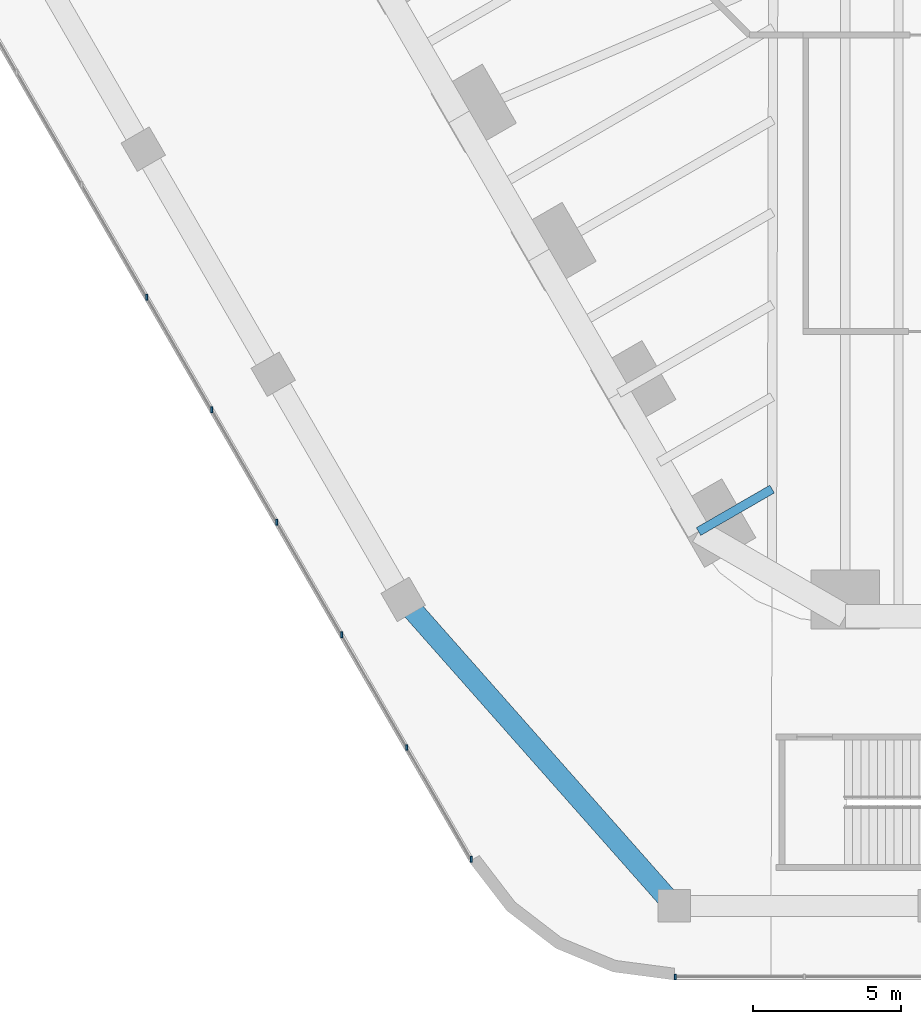
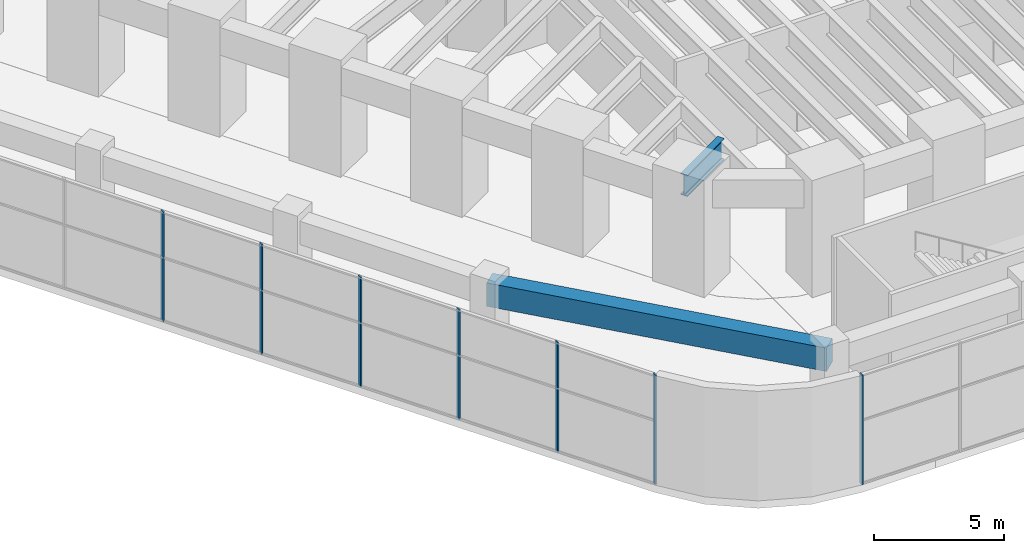
# One storey, part 2 of 31: 7 members, 2 beams, 2 elements without a shape of their own.
"""IFC4 building model written with IfcOpenShell, lengths in metres."""

from ifc_helpers import new_model, si_unit, direction, frame, origin, origin_2d, place, context, subcontext, project, spatial, rectangle, i_section, extrude, material, material_profile, profile_set, type_object, element, aggregate, save


model = new_model("IFC4")

# Units and contexts
model_context = context("Model", 3, precision=1e-05, world=origin(), true_north=direction((0.0, 1.0)))
body_context = subcontext(model_context, "Body", "Model", "MODEL_VIEW")
ifc_project = project(units=[si_unit("LENGTHUNIT", "METRE"), si_unit("AREAUNIT", "SQUARE_METRE"), si_unit("VOLUMEUNIT", "CUBIC_METRE"), si_unit("PLANEANGLEUNIT", "RADIAN"), si_unit("MASSUNIT", "GRAM", prefix="KILO")], contexts=[model_context])

# Site, building, storey
site_placement = place(None, origin())
site = spatial("IfcSite", under=ifc_project, at=site_placement, CompositionType="ELEMENT")
building_placement = place(site_placement, origin())
building = spatial("IfcBuilding", under=site, at=building_placement, Name="Tarfa Lantern Tower", CompositionType="ELEMENT")
storey_placement = place(building_placement, frame((0.0, 0.0, 13.0)))
storey = spatial("IfcBuildingStorey", under=building, at=storey_placement, Name="L02", CompositionType="ELEMENT", Elevation=13.0)

# Curtain wall, members
ifc_material_1 = material(Name="Aluminium framed curtain wall", Category="aluminium")
curtain_wall_type = type_object("IfcCurtainWallType", Name="CW7 PODIUM GLAZING 5150", PredefinedType="USERDEFINED", material=ifc_material_1)
curtain_wall_1_placement = place(storey_placement, origin())
curtain_wall_1 = element("IfcCurtainWall", 1, at=curtain_wall_1_placement, inside=storey, type_object=curtain_wall_type, Name="CW7 SW L02", ObjectType="CURTAIN WALL", PredefinedType="USERDEFINED")
ifc_material_2 = material(Name="Aluminium mullion", Category="aluminium")
ifc_material_profile_1 = material_profile(ifc_material_2, rectangle(XDim=0.06494140625, YDim=0.199951171875, at=origin_2d()), Name="AL MULLION 65x200")
ifc_profile_set_1 = profile_set([ifc_material_profile_1], Name="Aluminium mullion")
member_type = type_object("IfcMemberType", Name="CWM1 MULLION 65x200", PredefinedType="MULLION", material=ifc_profile_set_1)
member_1_placement = place(storey_placement, frame((-39.75048828125, -22.949951171875, 0.0), z_axis=(0.0, 0.0, 1.0), x_axis=(1.0, 0.0, 0.0)))
member_1 = element("IfcMember", 2, at=member_1_placement, type_object=member_type, Name="CW7 mullion 6", PredefinedType="MULLION", context=body_context, shape_type="SweptSolid", body=[
    extrude(rectangle(XDim=0.06494140625, YDim=0.199951171875, at=origin_2d()), origin(), (0.0, 0.0, 1.0), 5.14990234375),
])
member_2_placement = place(storey_placement, frame((-37.556640625, -26.75, 0.0), z_axis=(0.0, 0.0, 1.0), x_axis=(1.0, 0.0, 0.0)))
member_2 = element("IfcMember", 3, at=member_2_placement, type_object=member_type, Name="CW7 mullion 7", PredefinedType="MULLION", context=body_context, shape_type="SweptSolid", body=[
    extrude(rectangle(XDim=0.06494140625, YDim=0.199951171875, at=origin_2d()), origin(), (0.0, 0.0, 1.0), 5.14990234375),
])
member_3_placement = place(storey_placement, frame((-35.36279296875, -30.550048828125, 0.0), z_axis=(0.0, 0.0, 1.0), x_axis=(1.0, 0.0, 0.0)))
member_3 = element("IfcMember", 4, at=member_3_placement, type_object=member_type, Name="CW7 mullion 8", PredefinedType="MULLION", context=body_context, shape_type="SweptSolid", body=[
    extrude(rectangle(XDim=0.06494140625, YDim=0.199951171875, at=origin_2d()), origin(), (0.0, 0.0, 1.0), 5.14990234375),
])
member_4_placement = place(storey_placement, frame((-33.168701171875, -34.35009765625, 0.0), z_axis=(0.0, 0.0, 1.0), x_axis=(1.0, 0.0, 0.0)))
member_4 = element("IfcMember", 5, at=member_4_placement, type_object=member_type, Name="CW7 mullion 9", PredefinedType="MULLION", context=body_context, shape_type="SweptSolid", body=[
    extrude(rectangle(XDim=0.06494140625, YDim=0.199951171875, at=origin_2d()), origin(), (0.0, 0.0, 1.0), 5.14990234375),
])
member_5_placement = place(storey_placement, frame((-30.974853515625, -38.14990234375, 0.0), z_axis=(0.0, 0.0, 1.0), x_axis=(1.0, 0.0, 0.0)))
member_5 = element("IfcMember", 6, at=member_5_placement, type_object=member_type, Name="CW7 mullion 10", PredefinedType="MULLION", context=body_context, shape_type="SweptSolid", body=[
    extrude(rectangle(XDim=0.06494140625, YDim=0.199951171875, at=origin_2d()), origin(), (0.0, 0.0, 1.0), 5.14990234375),
])
member_6_placement = place(storey_placement, frame((-28.797119140625, -41.921875, 0.0), z_axis=(0.0, 0.0, 1.0), x_axis=(1.0, 0.0, 0.0)))
member_6 = element("IfcMember", 7, at=member_6_placement, type_object=member_type, Name="CW7 mullion 11", PredefinedType="MULLION", context=body_context, shape_type="SweptSolid", body=[
    extrude(rectangle(XDim=0.06494140625, YDim=0.199951171875, at=origin_2d()), origin(), (0.0, 0.0, 1.0), 5.14990234375),
])
aggregate(curtain_wall_1, [member_1, member_2, member_3, member_4, member_5, member_6])

# Curtain wall, member
curtain_wall_2_placement = place(storey_placement, origin())
curtain_wall_2 = element("IfcCurtainWall", 8, at=curtain_wall_2_placement, inside=storey, type_object=curtain_wall_type, Name="CW7 S L02", ObjectType="CURTAIN WALL", PredefinedType="USERDEFINED")
member_7_placement = place(storey_placement, frame((-21.90673828125, -45.89990234375, 0.0), z_axis=(0.0, 0.0, 1.0), x_axis=(1.0, 0.0, 0.0)))
member_7 = element("IfcMember", 9, at=member_7_placement, type_object=member_type, Name="CW7 mullion 1", PredefinedType="MULLION", context=body_context, shape_type="SweptSolid", body=[
    extrude(rectangle(XDim=0.06494140625, YDim=0.199951171875, at=origin_2d()), origin(), (0.0, 0.0, 1.0), 5.14990234375),
])
aggregate(curtain_wall_2, [member_7])

# Beams
ifc_material_3 = material(Name="Concrete C80/95", Category="concrete")
ifc_material_profile_2 = material_profile(ifc_material_3, rectangle(XDim=0.699951171875, YDim=1.10009765625, at=origin_2d()), Name="RC 700x1100")
ifc_profile_set_2 = profile_set([ifc_material_profile_2], Name="Concrete C80/95")
beam_type_1 = type_object("IfcBeamType", Name="PB1 RC 700x1100", PredefinedType="BEAM", material=ifc_profile_set_2)
beam_1_placement = place(storey_placement, frame((-31.09033203125, -33.14990234375, 4.60009765625), z_axis=(0.662381688084, -0.74916653642, 0.0), x_axis=(0.74916653642, 0.662381688084, 0.0)))
element("IfcBeam", 10, at=beam_1_placement, inside=storey, type_object=beam_type_1, Name="Podium ring beam SW4", PredefinedType="BEAM", context=body_context, shape_type="SweptSolid", body=[
    extrude(rectangle(XDim=0.699951171875, YDim=1.10009765625, at=origin_2d()), origin(), (0.0, 0.0, 1.0), 13.8154296875),
])
ifc_material_4 = material(Name="Steel S460M", Category="steel")
ifc_material_profile_3 = material_profile(ifc_material_4, i_section(OverallWidth=0.302001953125, OverallDepth=1.008056640625, WebThickness=0.02099609375, FlangeThickness=0.0400390625, FilletRadius=0.030029296875, at=origin_2d()), Name="UB1016x305x349")
ifc_profile_set_3 = profile_set([ifc_material_profile_3], Name="Steel S460M")
beam_type_2 = type_object("IfcBeamType", Name="UB1016x305x349", PredefinedType="BEAM", material=ifc_profile_set_3)
beam_2_placement = place(storey_placement, frame((-21.119384765625, -30.860107421875, 4.64599609375), z_axis=(0.866012580594, 0.500022209759, 0.0), x_axis=(-0.500022209759, 0.866012580594, 0.0)))
element("IfcBeam", 11, at=beam_2_placement, inside=storey, type_object=beam_type_2, Name="Floor beam SW6", PredefinedType="BEAM", context=body_context, shape_type="SweptSolid", body=[
    extrude(i_section(OverallWidth=0.302001953125, OverallDepth=1.008056640625, WebThickness=0.02099609375, FlangeThickness=0.0400390625, FilletRadius=0.030029296875, at=origin_2d()), origin(), (0.0, 0.0, 1.0), 2.866943359375),
])

save(model, "model.ifc")
